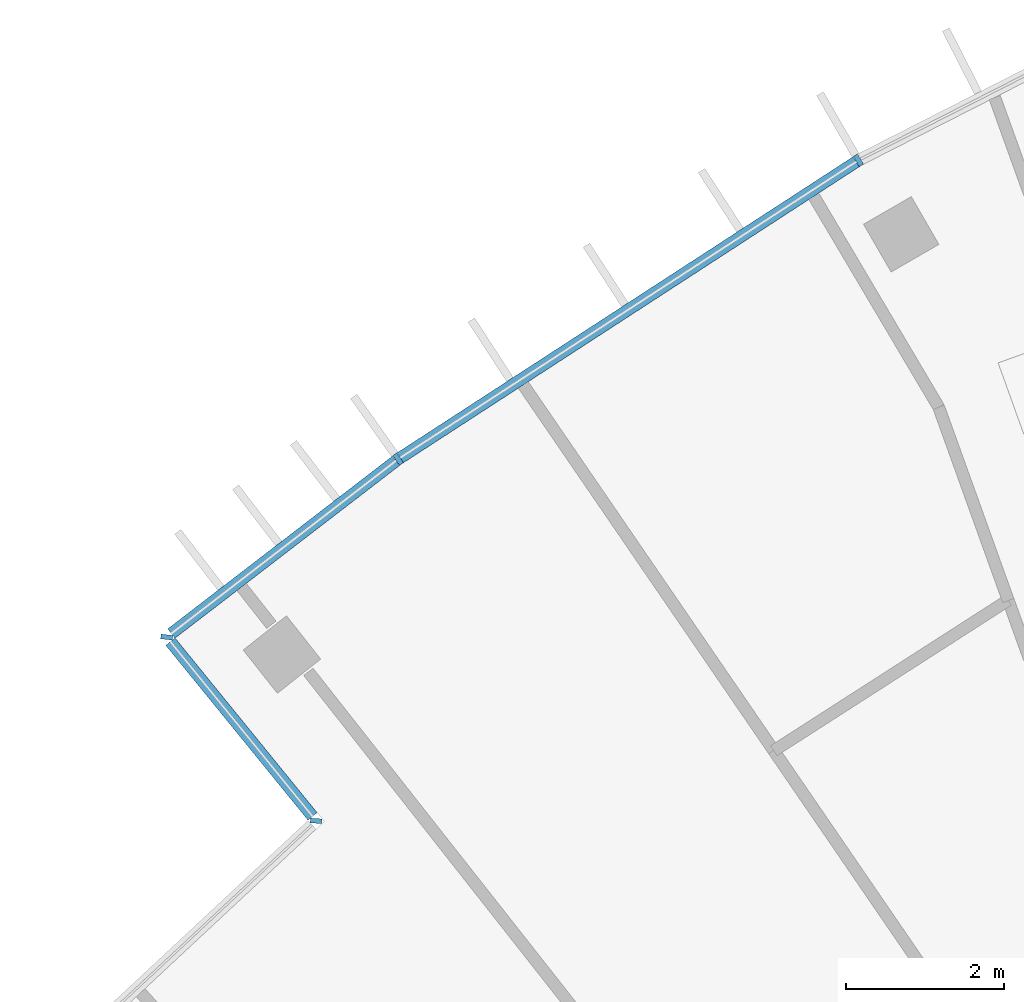
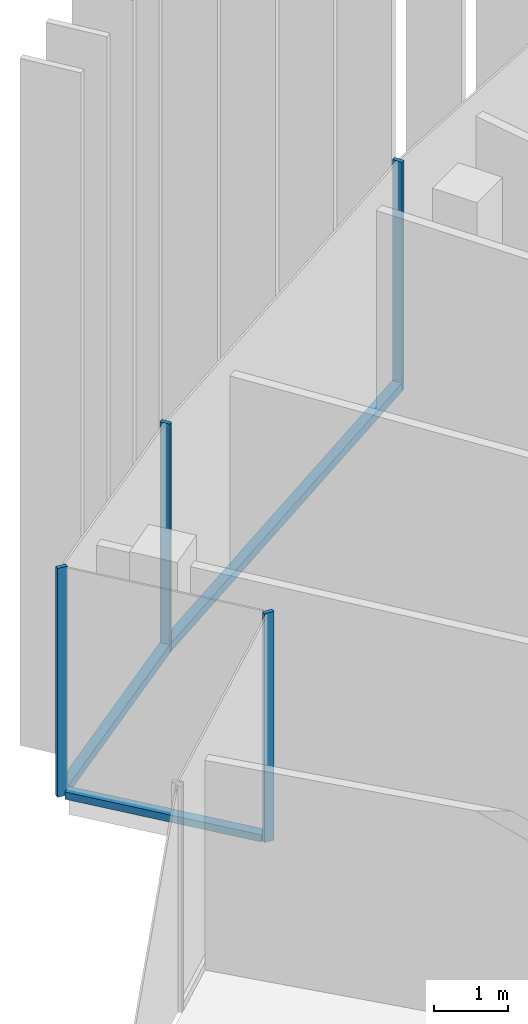
# One storey, part 4 of 19: 7 members, 3 elements without a shape of their own.
"""IFC4 building model written with IfcOpenShell, lengths in metres."""

from ifc_helpers import new_model, si_unit, direction, frame, origin, origin_2d, place, context, subcontext, project, spatial, rectangle, extrude, material, layer, layer_set, material_profile, profile_set, type_object, element, aggregate, save


model = new_model("IFC4")

# Units and contexts
model_context = context("Model", 3, precision=1e-05, world=origin(), true_north=direction((0.0, 1.0)))
body_context = subcontext(model_context, "Body", "Model", "MODEL_VIEW")
ifc_project = project(units=[si_unit("LENGTHUNIT", "METRE"), si_unit("AREAUNIT", "SQUARE_METRE"), si_unit("VOLUMEUNIT", "CUBIC_METRE"), si_unit("PLANEANGLEUNIT", "RADIAN"), si_unit("MASSUNIT", "GRAM", prefix="KILO")], contexts=[model_context])

# Site, building, storey
site_placement = place(None, origin())
site = spatial("IfcSite", under=ifc_project, at=site_placement, CompositionType="ELEMENT")
building_placement = place(site_placement, origin())
building = spatial("IfcBuilding", under=site, at=building_placement, Name="Stone Belt Terrace Tower", CompositionType="ELEMENT")
storey_placement = place(building_placement, frame((0.0, 0.0, 258.0)))
storey = spatial("IfcBuildingStorey", under=building, at=storey_placement, Name="L62", CompositionType="ELEMENT", Elevation=258.0)

# Curtain wall, members
ifc_material = material(Name="Aluminium 6063-T6 anodised frame", Category="aluminium")
ifc_layer_1 = layer(ifc_material, 0.14990234375)
ifc_layer_set_1 = layer_set([ifc_layer_1], Name="CW-A unitised convex-face curtain wall")
curtain_wall_type_1 = type_object("IfcCurtainWallType", Name="CW-A unitised convex-face curtain wall", PredefinedType="NOTDEFINED", material=ifc_layer_set_1)
curtain_wall_1_placement = place(storey_placement, origin())
curtain_wall_1 = element("IfcCurtainWall", 1, at=curtain_wall_1_placement, inside=storey, type_object=curtain_wall_type_1, Name="CW-A convex face L62", PredefinedType="NOTDEFINED")
ifc_material_profile_1 = material_profile(ifc_material, rectangle(XDim=0.14990234375, YDim=0.06005859375, at=origin_2d()), Name="Aluminium 6063-T6 60x150")
ifc_profile_set_1 = profile_set([ifc_material_profile_1], Name="Aluminium 6063-T6 anodised frame")
member_type_1 = type_object("IfcMemberType", Name="CW-A mullion 60 x 150", PredefinedType="MULLION", material=ifc_profile_set_1)
member_1_placement = place(storey_placement, frame((-33.28759765625, 57.65576171875, 0.0), z_axis=(0.0, 0.0, 1.0), x_axis=(0.5, -0.866025403784, 0.0)))
member_1 = element("IfcMember", 2, at=member_1_placement, type_object=member_type_1, Name="CW-A mullion 13", PredefinedType="MULLION", context=body_context, shape_type="SweptSolid", body=[
    extrude(rectangle(XDim=0.14990234375, YDim=0.06005859375, at=origin_2d()), origin(), (0.0, 0.0, 1.0), 3.800048828125),
])
member_2_placement = place(storey_placement, frame((-39.131103515625, 53.86083984375, 0.0), z_axis=(0.0, 0.0, 1.0), x_axis=(0.577587125789, -0.816329046477, 0.0)))
member_2 = element("IfcMember", 3, at=member_2_placement, type_object=member_type_1, Name="CW-A mullion 14", PredefinedType="MULLION", context=body_context, shape_type="SweptSolid", body=[
    extrude(rectangle(XDim=0.14990234375, YDim=0.06005859375, at=origin_2d()), origin(), (0.0, 0.0, 1.0), 3.800048828125),
])
ifc_material_profile_2 = material_profile(ifc_material, rectangle(XDim=0.14990234375, YDim=0.139892578125, at=origin_2d()), Name="Aluminium 6063-T6 150x140")
ifc_profile_set_2 = profile_set([ifc_material_profile_2], Name="Aluminium 6063-T6 anodised frame")
member_type_2 = type_object("IfcMemberType", Name="CW-A transom 140 x 150", PredefinedType="USERDEFINED", material=ifc_profile_set_2)
member_3_placement = place(storey_placement, frame((-33.31591796875, 57.63720703125, 0.070068359375), z_axis=(-0.83868440714, -0.544617723931, 0.0), x_axis=(0.544617723931, -0.83868440714, 0.0)))
member_3 = element("IfcMember", 4, at=member_3_placement, type_object=member_type_2, Name="CW-A transom 13.1", ObjectType="TRANSOM", PredefinedType="USERDEFINED", context=body_context, shape_type="SweptSolid", body=[
    extrude(rectangle(XDim=0.14990234375, YDim=0.139892578125, at=origin_2d()), origin(), (0.0, 0.0, 1.0), 6.90087890625),
])
member_4_placement = place(storey_placement, frame((-39.1572265625, 53.8408203125, 0.070068359375), z_axis=(-0.79269461464, -0.609618936648, 0.0), x_axis=(0.609618936648, -0.79269461464, 0.0)))
member_4 = element("IfcMember", 5, at=member_4_placement, type_object=member_type_2, Name="CW-A transom 14.1", ObjectType="TRANSOM", PredefinedType="USERDEFINED", context=body_context, shape_type="SweptSolid", body=[
    extrude(rectangle(XDim=0.14990234375, YDim=0.139892578125, at=origin_2d()), origin(), (0.0, 0.0, 1.0), 3.597900390625),
])
aggregate(curtain_wall_1, [member_1, member_2, member_3, member_4])

# Curtain wall, member
ifc_layer_2 = layer(ifc_material, 0.14990234375)
ifc_layer_set_2 = layer_set([ifc_layer_2], Name="CW-C stick curtain wall, horn ends and notches")
curtain_wall_type_2 = type_object("IfcCurtainWallType", Name="CW-C stick curtain wall, horn ends and notches", PredefinedType="NOTDEFINED", material=ifc_layer_set_2)
curtain_wall_2_placement = place(storey_placement, origin())
curtain_wall_2 = element("IfcCurtainWall", 6, at=curtain_wall_2_placement, inside=storey, type_object=curtain_wall_type_2, Name="CW-C notch face L62", PredefinedType="NOTDEFINED")
ifc_material_profile_3 = material_profile(ifc_material, rectangle(XDim=0.14990234375, YDim=0.06005859375, at=origin_2d()), Name="Aluminium 6063-T6 60x150")
ifc_profile_set_3 = profile_set([ifc_material_profile_3], Name="Aluminium 6063-T6 anodised frame")
member_type_3 = type_object("IfcMemberType", Name="CW-C mullion 60 x 150", PredefinedType="MULLION", material=ifc_profile_set_3)
member_5_placement = place(storey_placement, frame((-42.068359375, 51.60205078125, 0.0), z_axis=(0.0, 0.0, 1.0), x_axis=(0.993258004644, -0.115924700604, 0.0)))
member_5 = element("IfcMember", 7, at=member_5_placement, type_object=member_type_3, Name="CW-C mullion 1", PredefinedType="MULLION", context=body_context, shape_type="SweptSolid", body=[
    extrude(rectangle(XDim=0.14990234375, YDim=0.06005859375, at=origin_2d()), origin(), (0.0, 0.0, 1.0), 3.800048828125),
])

curtain_wall_3_placement = place(storey_placement, origin())
curtain_wall_3 = element("IfcCurtainWall", 8, at=curtain_wall_3_placement, inside=storey, type_object=curtain_wall_type_2, Name="CW-C notch face L62", PredefinedType="NOTDEFINED")
member_6_placement = place(storey_placement, frame((-40.1708984375, 49.269287109375, 0.0), z_axis=(0.0, 0.0, 1.0), x_axis=(0.997639702696, -0.068666029474, 0.0)))
member_6 = element("IfcMember", 9, at=member_6_placement, type_object=member_type_3, Name="CW-C mullion 1", PredefinedType="MULLION", context=body_context, shape_type="SweptSolid", body=[
    extrude(rectangle(XDim=0.14990234375, YDim=0.06005859375, at=origin_2d()), origin(), (0.0, 0.0, 1.0), 3.800048828125),
])
aggregate(curtain_wall_3, [member_6])

# Member
ifc_material_profile_4 = material_profile(ifc_material, rectangle(XDim=0.14990234375, YDim=0.1201171875, at=origin_2d()), Name="Aluminium 6063-T6 150x120")
ifc_profile_set_4 = profile_set([ifc_material_profile_4], Name="Aluminium 6063-T6 anodised frame")
member_type_4 = type_object("IfcMemberType", Name="CW-C transom 120 x 150", PredefinedType="USERDEFINED", material=ifc_profile_set_4)
member_7_placement = place(storey_placement, frame((-42.021240234375, 51.5439453125, 0.06005859375), z_axis=(0.631026504781, -0.775761271439, 0.0), x_axis=(0.775761271439, 0.631026504781, 0.0)))
member_7 = element("IfcMember", 10, at=member_7_placement, type_object=member_type_4, Name="CW-C transom 1.1", ObjectType="TRANSOM", PredefinedType="USERDEFINED", context=body_context, shape_type="SweptSolid", body=[
    extrude(rectangle(XDim=0.14990234375, YDim=0.1201171875, at=origin_2d()), origin(), (0.0, 0.0, 1.0), 2.859130859375),
])

aggregate(curtain_wall_2, [member_5, member_7])

save(model, "model.ifc")
